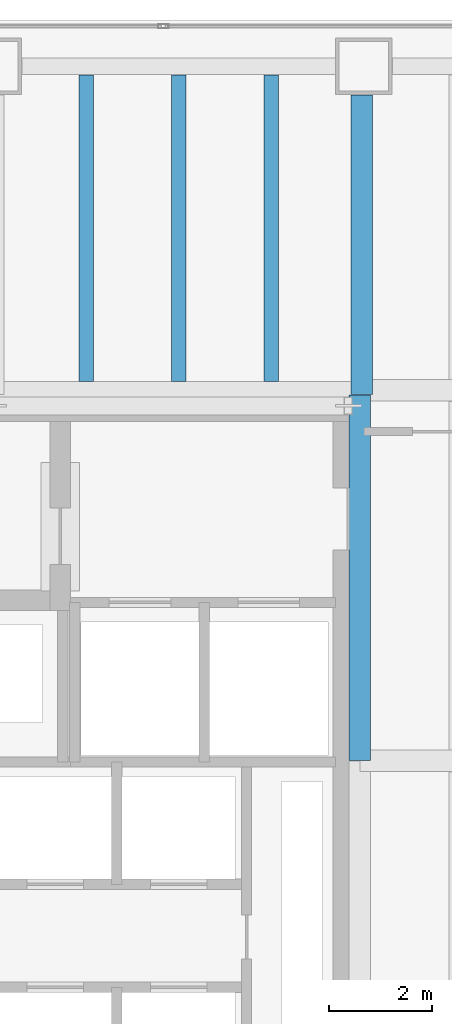
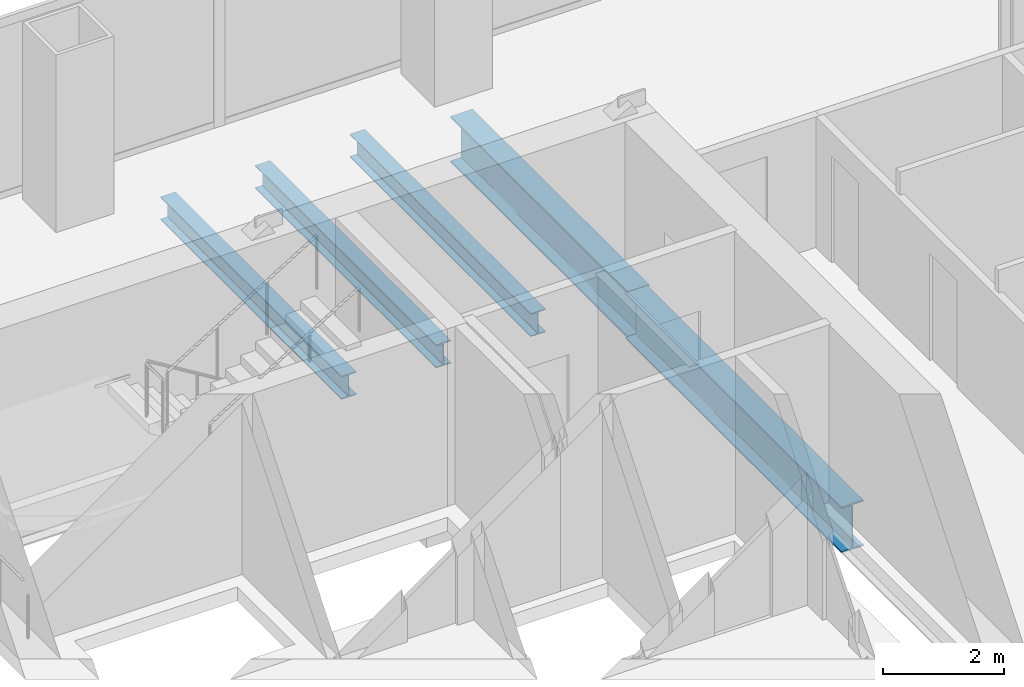
# One storey, part 15 of 23: 5 beams.
"""IFC4 building model written with IfcOpenShell, lengths in metres."""

from ifc_helpers import new_model, si_unit, direction, frame, origin, origin_2d, place, context, subcontext, project, spatial, i_section, extrude, material, material_profile, profile_set, type_object, element, save


model = new_model("IFC4")

# Units and contexts
model_context = context("Model", 3, precision=1e-05, world=origin(), true_north=direction((0.0, 1.0)))
body_context = subcontext(model_context, "Body", "Model", "MODEL_VIEW")
ifc_project = project(units=[si_unit("LENGTHUNIT", "METRE"), si_unit("AREAUNIT", "SQUARE_METRE"), si_unit("VOLUMEUNIT", "CUBIC_METRE"), si_unit("PLANEANGLEUNIT", "RADIAN"), si_unit("MASSUNIT", "GRAM", prefix="KILO")], contexts=[model_context])

# Site, building, storey
site_placement = place(None, origin())
site = spatial("IfcSite", under=ifc_project, at=site_placement, CompositionType="ELEMENT")
building_placement = place(site_placement, origin())
building = spatial("IfcBuilding", under=site, at=building_placement, Name="Cobrela Telecom Tower", CompositionType="ELEMENT")
storey_placement = place(building_placement, frame((0.0, 0.0, 38.85009765625)))
storey = spatial("IfcBuildingStorey", under=building, at=storey_placement, Name="L09", CompositionType="ELEMENT", Elevation=38.85009765625)

# Beams
ifc_material = material(Name="Steel ASTM A992 Grade 50", Category="steel")
ifc_material_profile_1 = material_profile(ifc_material, i_section(OverallWidth=0.4189453125, OverallDepth=0.927001953125, WebThickness=0.019287109375, FlangeThickness=0.031982421875, FilletRadius=0.02392578125, at=origin_2d()), Name="W36X231")
ifc_profile_set_1 = profile_set([ifc_material_profile_1], Name="Steel ASTM A992 Grade 50")
beam_type_1 = type_object("IfcBeamType", Name="BM-GIRD-02", PredefinedType="USERDEFINED", material=ifc_profile_set_1)
beam_1_placement = place(storey_placement, frame((14.320068359375, 28.804931640625, -0.74365234375), z_axis=(0.0, 1.0, 0.0), x_axis=(-1.0, 0.0, 0.0)))
element("IfcBeam", 1, at=beam_1_placement, inside=storey, type_object=beam_type_1, Name="L09 Primary Girder Y38", ObjectType="GIRDER", PredefinedType="USERDEFINED", context=body_context, shape_type="SweptSolid", body=[
    extrude(i_section(OverallWidth=0.4189453125, OverallDepth=0.927001953125, WebThickness=0.019287109375, FlangeThickness=0.031982421875, FilletRadius=0.02392578125, at=origin_2d()), origin(), (0.0, 0.0, 1.0), 7.110107421875),
])
beam_2_placement = place(storey_placement, frame((14.360107421875, 35.925048828125, -0.74365234375), z_axis=(0.0, 1.0, 0.0), x_axis=(-1.0, 0.0, 0.0)))
element("IfcBeam", 2, at=beam_2_placement, inside=storey, type_object=beam_type_1, Name="L09 Primary Girder Y39", ObjectType="GIRDER", PredefinedType="USERDEFINED", context=body_context, shape_type="SweptSolid", body=[
    extrude(i_section(OverallWidth=0.4189453125, OverallDepth=0.927001953125, WebThickness=0.019287109375, FlangeThickness=0.031982421875, FilletRadius=0.02392578125, at=origin_2d()), origin(), (0.0, 0.0, 1.0), 5.820068359375),
])
ifc_material_profile_2 = material_profile(ifc_material, i_section(OverallWidth=0.281982421875, OverallDepth=0.467041015625, WebThickness=0.01220703125, FlangeThickness=0.01953125, FilletRadius=0.012939453125, at=origin_2d()), Name="W18X86")
ifc_profile_set_2 = profile_set([ifc_material_profile_2], Name="Steel ASTM A992 Grade 50")
beam_type_2 = type_object("IfcBeamType", Name="BM-JOIST-02", PredefinedType="JOIST", material=ifc_profile_set_2)
for number, where, z_axis, x_axis, name in (
    (3, (9.0, 36.174560546875, -0.513671875), (0.0, 1.0, 0.0), (-1.0, 0.0, 0.0), "L09 Secondary Composite Floor Beam J02"),
    (4, (10.800048828125, 36.174560546875, -0.513671875), (0.0, 1.0, 0.0), (-1.0, 0.0, 0.0), "L09 Secondary Composite Floor Beam J04"),
    (5, (12.60009765625, 36.174560546875, -0.513671875), (0.0, 1.0, 0.0), (-1.0, 0.0, 0.0), "L09 Secondary Composite Floor Beam J06"),
):
    element("IfcBeam", number, at=place(storey_placement, frame(where, z_axis=z_axis, x_axis=x_axis)), inside=storey, type_object=beam_type_2, Name=name, PredefinedType="JOIST", context=body_context, shape_type="SweptSolid", body=[
        extrude(i_section(OverallWidth=0.281982421875, OverallDepth=0.467041015625, WebThickness=0.01220703125, FlangeThickness=0.01953125, FilletRadius=0.012939453125, at=origin_2d()), origin(), (0.0, 0.0, 1.0), 5.9580078125),
    ])

save(model, "model.ifc")
